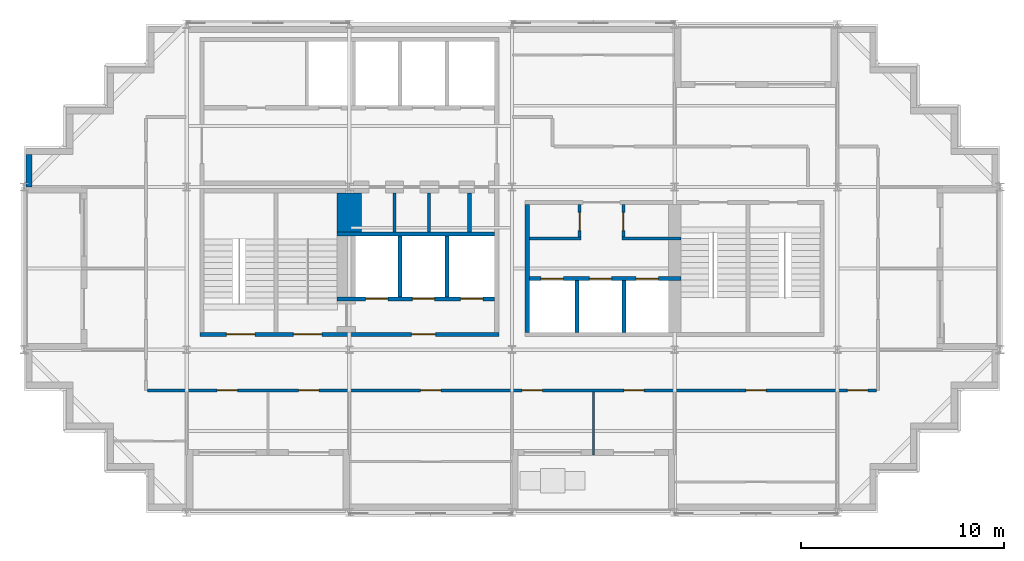
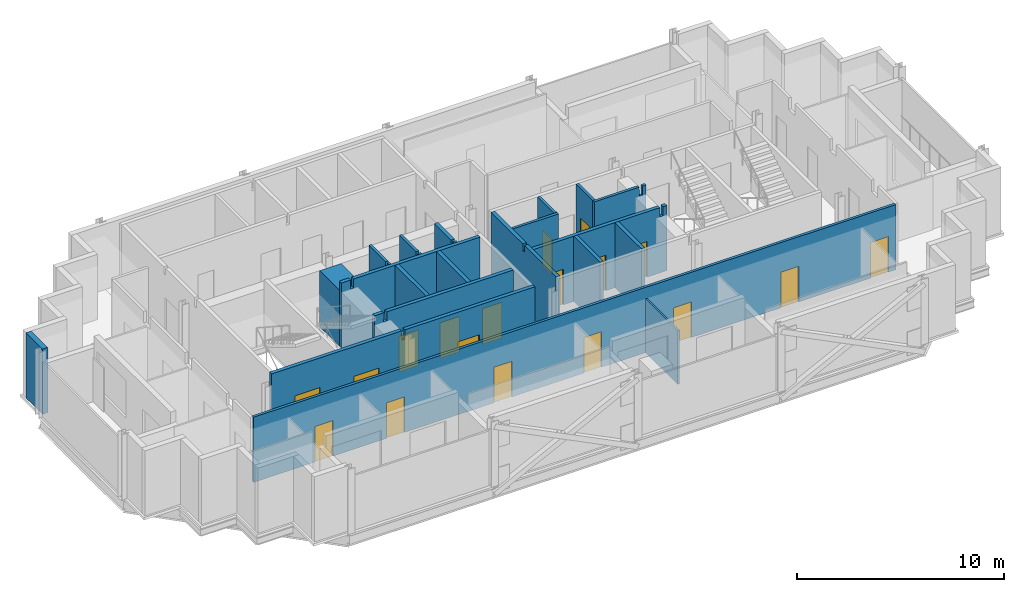
# One storey, part 5 of 10: 20 walls, 18 doors, 18 openings.
"""IFC4 building model written with IfcOpenShell, lengths in metres."""

from ifc_helpers import new_model, si_unit, direction, frame, frame_2d, origin, place, context, subcontext, project, spatial, polyline, rectangle, outline, extrude, material, layer, layer_set, type_object, element, fill, save


model = new_model("IFC4")

# Units and contexts
model_context = context("Model", 3, precision=1e-05, world=origin(), true_north=direction((0.0, 1.0)))
body_context = subcontext(model_context, "Body", "Model", "MODEL_VIEW")
ifc_project = project(units=[si_unit("LENGTHUNIT", "METRE"), si_unit("AREAUNIT", "SQUARE_METRE"), si_unit("VOLUMEUNIT", "CUBIC_METRE"), si_unit("PLANEANGLEUNIT", "RADIAN"), si_unit("MASSUNIT", "GRAM", prefix="KILO")], contexts=[model_context])

# Site, building, storey
site_placement = place(None, origin())
site = spatial("IfcSite", under=ifc_project, at=site_placement, CompositionType="ELEMENT")
building_placement = place(site_placement, origin())
building = spatial("IfcBuilding", under=site, at=building_placement, Name="Immortelle Media Tower", CompositionType="ELEMENT")
storey_placement = place(building_placement, frame((0.0, 0.0, 255.0)))
storey = spatial("IfcBuildingStorey", under=building, at=storey_placement, Name="L55", CompositionType="ELEMENT", Elevation=255.0)

# Walls
ifc_material_1 = material(Name="Fire-rated gypsum board", Category="gypsum")
ifc_layer_1 = layer(ifc_material_1, 0.02490234375)
ifc_material_2 = material(Name="Steel ASTM A653 SS Gr 50 stud frame with mineral wool", Category="steel")
ifc_layer_2 = layer(ifc_material_2, 0.10009765625)
ifc_layer_3 = layer(ifc_material_1, 0.02490234375)
ifc_layer_set_1 = layer_set([ifc_layer_1, ifc_layer_2, ifc_layer_3], Name="Steel ASTM A653 SS Gr 50 stud frame with mineral wool")
wall_type_1 = type_object("IfcWallType", Name="Core partition 150", PredefinedType="PARTITIONING", material=ifc_layer_set_1)
for number, where, z_axis, x_axis, name in (
    (1, (18.22509765625, 13.800048828125, 0.0), (0.0, 0.0, 1.0), (0.0, 1.0, 0.0), "Core partition SW"),
    (2, (19.925048828125, 13.800048828125, 0.0), (0.0, 0.0, 1.0), (0.0, 1.0, 0.0), "Core partition SW"),
):
    element("IfcWall", number, at=place(storey_placement, frame(where, z_axis=z_axis, x_axis=x_axis)), inside=storey, type_object=wall_type_1, Name=name, PredefinedType="PARTITIONING", context=body_context, shape_type="SweptSolid", body=[
        extrude(outline(polyline([(0.0, 0.0), (1.89990234375, 0.0), (1.89990234375, 3.85009765625), (0.27490234375, 3.85009765625), (0.27392578125, 3.43994140625), (0.1259765625, 3.43994140625), (0.125, 3.85009765625), (0.0, 3.85009765625), (0.0, 0.0)])), frame((0.0, 0.074951171875, 0.0), z_axis=(0.0, -1.0, 0.0), x_axis=(1.0, 0.0, 0.0)), (0.0, 0.0, 1.0), 0.14990234375),
    ])
wall_1_placement = place(storey_placement, frame((24.85009765625, 13.47509765625, 0.0), z_axis=(0.0, 0.0, 1.0), x_axis=(1.0, 0.0, 0.0)))
element("IfcWall", 3, at=wall_1_placement, inside=storey, type_object=wall_type_1, Name="Core partition SE", PredefinedType="PARTITIONING", context=body_context, shape_type="SweptSolid", body=[
    extrude(rectangle(XDim=2.5498046875, YDim=0.14990234375, at=frame_2d((1.27490234375, 0.0))), origin(), (0.0, 0.0, 1.0), 3.85009765625),
])

# Wall, opening, door
wall_2_placement = place(storey_placement, frame((27.324951171875, 13.550048828125, 0.0), z_axis=(0.0, 0.0, 1.0), x_axis=(0.0, 1.0, 0.0)))
wall_2 = element("IfcWall", 4, at=wall_2_placement, inside=storey, type_object=wall_type_1, Name="Core partition SE", PredefinedType="PARTITIONING", context=body_context, shape_type="SweptSolid", body=[
    extrude(rectangle(XDim=1.599853515625, YDim=0.14990234375, at=frame_2d((0.7998046875, 0.0))), origin(), (0.0, 0.0, 1.0), 3.85009765625),
])
opening_1_placement = place(wall_2_placement, frame((0.300048828125, 0.0, 0.0)))
opening_1 = element("IfcOpeningElement", 5, at=opening_1_placement, cuts=wall_2, Name="Opening X1-K020", PredefinedType="OPENING", context=body_context, shape_type="SweptSolid", body=[
    extrude(rectangle(XDim=0.89990234375, YDim=2.10009765625, at=frame_2d((0.449951171875, 1.050048828125))), frame((0.0, 0.0849609375, 0.0), z_axis=(0.0, -1.0, 0.0), x_axis=(1.0, 0.0, 0.0)), (0.0, 0.0, 1.0), 0.169921875),
])
ifc_material_3 = material(Name="Galvanised steel door leaf and frame ASTM A653", Category="steel")
door_type_1 = type_object("IfcDoorType", Name="Service door 900 x 2100", OperationType="NOTDEFINED", PredefinedType="NOTDEFINED", material=ifc_material_3)
door_1_placement = place(opening_1_placement, origin())
door_1 = element("IfcDoor", 6, at=door_1_placement, inside=storey, type_object=door_type_1, Name="Service X1-K020", OperationType="SINGLE_SWING_LEFT", OverallHeight=2.10009765625, OverallWidth=0.89990234375, PredefinedType="NOTDEFINED", context=body_context, shape_type="SweptSolid", body=[
    extrude(rectangle(XDim=0.89990234375, YDim=2.10009765625, at=frame_2d((0.449951171875, 1.050048828125))), frame((0.0, 0.02490234375, 0.0), z_axis=(0.0, -1.0, 0.0), x_axis=(1.0, 0.0, 0.0)), (0.0, 0.0, 1.0), 0.050048828125),
])
fill(opening_1, door_1)

# Wall
wall_3_placement = place(storey_placement, frame((29.39990234375, 13.47509765625, 0.0), z_axis=(0.0, 0.0, 1.0), x_axis=(1.0, 0.0, 0.0)))
element("IfcWall", 7, at=wall_3_placement, inside=storey, type_object=wall_type_1, Name="Core partition SE", PredefinedType="PARTITIONING", context=body_context, shape_type="SweptSolid", body=[
    extrude(outline(polyline([(0.0, 0.0), (2.900146484375, 0.0), (2.89990234375, 3.85009765625), (2.6884765625, 3.85009765625), (2.6875, 3.30810546875), (2.512451171875, 3.30810546875), (2.511474609375, 3.85009765625), (0.0, 3.85009765625), (0.0, 0.0)])), frame((0.0, 0.074951171875, 0.0), z_axis=(0.0, -1.0, 0.0), x_axis=(1.0, 0.0, 0.0)), (0.0, 0.0, 1.0), 0.14990234375),
])

# Wall, opening, door
wall_4_placement = place(storey_placement, frame((29.47509765625, 13.550048828125, 0.0), z_axis=(0.0, 0.0, 1.0), x_axis=(0.0, 1.0, 0.0)))
wall_4 = element("IfcWall", 8, at=wall_4_placement, inside=storey, type_object=wall_type_1, Name="Core partition SE", PredefinedType="PARTITIONING", context=body_context, shape_type="SweptSolid", body=[
    extrude(rectangle(XDim=1.599853515625, YDim=0.14990234375, at=frame_2d((0.7998046875, 0.0))), origin(), (0.0, 0.0, 1.0), 3.85009765625),
])
opening_2_placement = place(wall_4_placement, frame((1.199951171875, 0.0, 0.0), z_axis=(0.0, 0.0, 1.0), x_axis=(-1.0, 0.0, 0.0)))
opening_2 = element("IfcOpeningElement", 9, at=opening_2_placement, cuts=wall_4, Name="Opening X1-K023", PredefinedType="OPENING", context=body_context, shape_type="SweptSolid", body=[
    extrude(rectangle(XDim=0.89990234375, YDim=2.10009765625, at=frame_2d((0.449951171875, 1.050048828125))), frame((0.0, 0.0849609375, 0.0), z_axis=(0.0, -1.0, 0.0), x_axis=(1.0, 0.0, 0.0)), (0.0, 0.0, 1.0), 0.169921875),
])
ifc_material_4 = material(Name="Timber", Category="wood")
door_type_2 = type_object("IfcDoorType", Name="Room door 900 x 2100", OperationType="NOTDEFINED", PredefinedType="NOTDEFINED", material=ifc_material_4)
door_2_placement = place(opening_2_placement, origin())
door_2 = element("IfcDoor", 10, at=door_2_placement, inside=storey, type_object=door_type_2, Name="Room X1-K023", OperationType="SINGLE_SWING_RIGHT", OverallHeight=2.10009765625, OverallWidth=0.89990234375, PredefinedType="NOTDEFINED", context=body_context, shape_type="SweptSolid", body=[
    extrude(rectangle(XDim=0.89990234375, YDim=2.10009765625, at=frame_2d((0.449951171875, 1.050048828125))), frame((0.0, 0.02490234375, 0.0), z_axis=(0.0, -1.0, 0.0), x_axis=(1.0, 0.0, 0.0)), (0.0, 0.0, 1.0), 0.050048828125),
])
fill(opening_2, door_2)

# Wall, openings, doors
ifc_layer_4 = layer(ifc_material_1, 0.03759765625)
ifc_layer_5 = layer(ifc_material_2, 0.125)
ifc_layer_6 = layer(ifc_material_1, 0.03759765625)
ifc_layer_set_2 = layer_set([ifc_layer_4, ifc_layer_5, ifc_layer_6], Name="Steel ASTM A653 SS Gr 50 stud frame with mineral wool")
wall_type_2 = type_object("IfcWallType", Name="Core shaft wall 200", PredefinedType="PARTITIONING", material=ifc_layer_set_2)
wall_5_placement = place(storey_placement, frame((15.39990234375, 10.5, 0.0), z_axis=(0.0, 0.0, 1.0), x_axis=(1.0, 0.0, 0.0)))
wall_5 = element("IfcWall", 11, at=wall_5_placement, inside=storey, type_object=wall_type_2, Name="Core shaft wall SW", PredefinedType="PARTITIONING", context=body_context, shape_type="SweptSolid", body=[
    extrude(outline(polyline([(0.0, 0.0), (7.75, 0.0), (7.75, 3.85009765625), (0.6884765625, 3.85009765625), (0.6875, 3.30810546875), (0.512451171875, 3.30810546875), (0.511474609375, 3.85009765625), (0.0, 3.85009765625), (0.0, 0.0)])), frame((0.0, 0.10009765625, 0.0), z_axis=(0.0, -1.0, 0.0), x_axis=(1.0, 0.0, 0.0)), (0.0, 0.0, 1.0), 0.199951171875),
])
opening_3_placement = place(wall_5_placement, frame((1.39990234375, 0.0, 0.0)))
opening_3 = element("IfcOpeningElement", 12, at=opening_3_placement, cuts=wall_5, Name="Opening LD", PredefinedType="OPENING", context=body_context, shape_type="SweptSolid", body=[
    extrude(rectangle(XDim=1.10009765625, YDim=2.10009765625, at=frame_2d((0.550048828125, 1.050048828125))), frame((0.0, 0.10986328125, 0.0), z_axis=(0.0, -1.0, 0.0), x_axis=(1.0, 0.0, 0.0)), (0.0, 0.0, 1.0), 0.219970703125),
])
opening_4_placement = place(wall_5_placement, frame((3.699951171875, 0.0, 0.0)))
opening_4 = element("IfcOpeningElement", 13, at=opening_4_placement, cuts=wall_5, Name="Opening LD", PredefinedType="OPENING", context=body_context, shape_type="SweptSolid", body=[
    extrude(rectangle(XDim=1.10009765625, YDim=2.10009765625, at=frame_2d((0.550048828125, 1.050048828125))), frame((0.0, 0.10986328125, 0.0), z_axis=(0.0, -1.0, 0.0), x_axis=(1.0, 0.0, 0.0)), (0.0, 0.0, 1.0), 0.219970703125),
])
opening_5_placement = place(wall_5_placement, frame((6.074951171875, 0.0, 0.0)))
opening_5 = element("IfcOpeningElement", 14, at=opening_5_placement, cuts=wall_5, Name="Opening LD", PredefinedType="OPENING", context=body_context, shape_type="SweptSolid", body=[
    extrude(rectangle(XDim=1.10009765625, YDim=2.10009765625, at=frame_2d((0.550048828125, 1.050048828125))), frame((0.0, 0.10986328125, 0.0), z_axis=(0.0, -1.0, 0.0), x_axis=(1.0, 0.0, 0.0)), (0.0, 0.0, 1.0), 0.219970703125),
])
ifc_material_5 = material(Name="Stainless steel AISI 304", Category="steel")
door_type_3 = type_object("IfcDoorType", Name="Landing door 1100 x 2100", OperationType="SLIDING_TO_LEFT", PredefinedType="NOTDEFINED", material=ifc_material_5)
door_3_placement = place(opening_3_placement, origin())
door_3 = element("IfcDoor", 15, at=door_3_placement, inside=storey, type_object=door_type_3, Name="Landing door FF1 L55", OperationType="SLIDING_TO_LEFT", OverallHeight=2.10009765625, OverallWidth=1.10009765625, PredefinedType="NOTDEFINED", context=body_context, shape_type="SweptSolid", body=[
    extrude(rectangle(XDim=1.10009765625, YDim=2.10009765625, at=frame_2d((0.550048828125, 1.050048828125))), frame((0.0, 0.02490234375, 0.0), z_axis=(0.0, -1.0, 0.0), x_axis=(1.0, 0.0, 0.0)), (0.0, 0.0, 1.0), 0.050048828125),
])
fill(opening_3, door_3)
door_4_placement = place(opening_4_placement, origin())
door_4 = element("IfcDoor", 16, at=door_4_placement, inside=storey, type_object=door_type_3, Name="Landing door FF2 L55", OperationType="SLIDING_TO_LEFT", OverallHeight=2.10009765625, OverallWidth=1.10009765625, PredefinedType="NOTDEFINED", context=body_context, shape_type="SweptSolid", body=[
    extrude(rectangle(XDim=1.10009765625, YDim=2.10009765625, at=frame_2d((0.550048828125, 1.050048828125))), frame((0.0, 0.02490234375, 0.0), z_axis=(0.0, -1.0, 0.0), x_axis=(1.0, 0.0, 0.0)), (0.0, 0.0, 1.0), 0.050048828125),
])
fill(opening_4, door_4)
door_5_placement = place(opening_5_placement, origin())
door_5 = element("IfcDoor", 17, at=door_5_placement, inside=storey, type_object=door_type_3, Name="Landing door FF3 L55", OperationType="SLIDING_TO_LEFT", OverallHeight=2.10009765625, OverallWidth=1.10009765625, PredefinedType="NOTDEFINED", context=body_context, shape_type="SweptSolid", body=[
    extrude(rectangle(XDim=1.10009765625, YDim=2.10009765625, at=frame_2d((0.550048828125, 1.050048828125))), frame((0.0, 0.02490234375, 0.0), z_axis=(0.0, -1.0, 0.0), x_axis=(1.0, 0.0, 0.0)), (0.0, 0.0, 1.0), 0.050048828125),
])
fill(opening_5, door_5)

# Walls
wall_6_placement = place(storey_placement, frame((15.39990234375, 13.699951171875, 0.0), z_axis=(0.0, 0.0, 1.0), x_axis=(1.0, 0.0, 0.0)))
element("IfcWall", 18, at=wall_6_placement, inside=storey, type_object=wall_type_2, Name="Core shaft wall SW", PredefinedType="PARTITIONING", context=body_context, shape_type="SweptSolid", body=[
    extrude(outline(polyline([(0.0, 0.0), (7.75, 0.0), (7.75, 3.85009765625), (0.6884765625, 3.85009765625), (0.6875, 3.30810546875), (0.512451171875, 3.30810546875), (0.511474609375, 3.85009765625), (0.0, 3.85009765625), (0.0, 0.0)])), frame((0.0, 0.10009765625, 0.0), z_axis=(0.0, -1.0, 0.0), x_axis=(1.0, 0.0, 0.0)), (0.0, 0.0, 1.0), 0.199951171875),
])
for number, where, z_axis, x_axis, name in (
    (19, (18.5, 10.60009765625, 0.0), (0.0, 0.0, 1.0), (0.0, 1.0, 0.0), "Core shaft wall SW"),
    (20, (20.800048828125, 10.60009765625, 0.0), (0.0, 0.0, 1.0), (0.0, 1.0, 0.0), "Core shaft wall SW"),
):
    element("IfcWall", number, at=place(storey_placement, frame(where, z_axis=z_axis, x_axis=x_axis)), inside=storey, type_object=wall_type_2, Name=name, PredefinedType="PARTITIONING", context=body_context, shape_type="SweptSolid", body=[
        extrude(rectangle(XDim=3.0, YDim=0.199951171875, at=frame_2d((1.5, 0.0))), origin(), (0.0, 0.0, 1.0), 3.85009765625),
    ])
wall_7_placement = place(storey_placement, frame((21.89990234375, 13.800048828125, 0.0), z_axis=(0.0, 0.0, 1.0), x_axis=(0.0, 1.0, 0.0)))
element("IfcWall", 21, at=wall_7_placement, inside=storey, type_object=wall_type_2, Name="Core shaft wall SW", PredefinedType="PARTITIONING", context=body_context, shape_type="SweptSolid", body=[
    extrude(outline(polyline([(0.0, 0.0), (1.89990234375, 0.0), (1.89990234375, 3.85009765625), (0.27490234375, 3.85009765625), (0.27392578125, 3.43994140625), (0.1259765625, 3.43994140625), (0.125, 3.85009765625), (0.0, 3.85009765625), (0.0, 0.0)])), frame((0.0, 0.10009765625, 0.0), z_axis=(0.0, -1.0, 0.0), x_axis=(1.0, 0.0, 0.0)), (0.0, 0.0, 1.0), 0.199951171875),
])
wall_8_placement = place(storey_placement, frame((24.75, 8.85009765625, 0.0), z_axis=(0.0, 0.0, 1.0), x_axis=(0.0, 1.0, 0.0)))
element("IfcWall", 22, at=wall_8_placement, inside=storey, type_object=wall_type_2, Name="Core shaft wall SE", PredefinedType="PARTITIONING", context=body_context, shape_type="SweptSolid", body=[
    extrude(outline(polyline([(0.0, 0.0), (6.2998046875, 0.0), (6.300048828125, 3.85009765625), (3.22509765625, 3.85009765625), (3.22412109375, 3.43994140625), (3.075927734375, 3.43994140625), (3.074951171875, 3.85009765625), (0.0, 3.85009765625), (0.0, 0.0)])), frame((0.0, 0.10009765625, 0.0), z_axis=(0.0, -1.0, 0.0), x_axis=(1.0, 0.0, 0.0)), (0.0, 0.0, 1.0), 0.199951171875),
])

# Wall, openings, doors
wall_9_placement = place(storey_placement, frame((24.85009765625, 11.5, 0.0), z_axis=(0.0, 0.0, 1.0), x_axis=(1.0, 0.0, 0.0)))
wall_9 = element("IfcWall", 23, at=wall_9_placement, inside=storey, type_object=wall_type_2, Name="Core shaft wall SE", PredefinedType="PARTITIONING", context=body_context, shape_type="SweptSolid", body=[
    extrude(outline(polyline([(0.0, 0.0), (7.449951171875, 0.0), (7.449951171875, 3.85009765625), (7.238525390625, 3.85009765625), (7.237548828125, 3.30810546875), (7.0625, 3.30810546875), (7.0615234375, 3.85009765625), (0.0, 3.85009765625), (0.0, 0.0)])), frame((0.0, 0.10009765625, 0.0), z_axis=(0.0, -1.0, 0.0), x_axis=(1.0, 0.0, 0.0)), (0.0, 0.0, 1.0), 0.199951171875),
])
opening_6_placement = place(wall_9_placement, frame((0.574951171875, 0.0, 0.0)))
opening_6 = element("IfcOpeningElement", 24, at=opening_6_placement, cuts=wall_9, Name="Opening LD", PredefinedType="OPENING", context=body_context, shape_type="SweptSolid", body=[
    extrude(rectangle(XDim=1.10009765625, YDim=2.10009765625, at=frame_2d((0.550048828125, 1.050048828125))), frame((0.0, 0.10986328125, 0.0), z_axis=(0.0, -1.0, 0.0), x_axis=(1.0, 0.0, 0.0)), (0.0, 0.0, 1.0), 0.219970703125),
])
opening_7_placement = place(wall_9_placement, frame((2.949951171875, 0.0, 0.0)))
opening_7 = element("IfcOpeningElement", 25, at=opening_7_placement, cuts=wall_9, Name="Opening LD", PredefinedType="OPENING", context=body_context, shape_type="SweptSolid", body=[
    extrude(rectangle(XDim=1.10009765625, YDim=2.10009765625, at=frame_2d((0.550048828125, 1.050048828125))), frame((0.0, 0.10986328125, 0.0), z_axis=(0.0, -1.0, 0.0), x_axis=(1.0, 0.0, 0.0)), (0.0, 0.0, 1.0), 0.219970703125),
])
opening_8_placement = place(wall_9_placement, frame((5.25, 0.0, 0.0)))
opening_8 = element("IfcOpeningElement", 26, at=opening_8_placement, cuts=wall_9, Name="Opening LD", PredefinedType="OPENING", context=body_context, shape_type="SweptSolid", body=[
    extrude(rectangle(XDim=1.10009765625, YDim=2.10009765625, at=frame_2d((0.550048828125, 1.050048828125))), frame((0.0, 0.10986328125, 0.0), z_axis=(0.0, -1.0, 0.0), x_axis=(1.0, 0.0, 0.0)), (0.0, 0.0, 1.0), 0.219970703125),
])
door_6_placement = place(opening_6_placement, origin())
door_6 = element("IfcDoor", 27, at=door_6_placement, inside=storey, type_object=door_type_3, Name="Landing door HS1 L55", OperationType="SLIDING_TO_LEFT", OverallHeight=2.10009765625, OverallWidth=1.10009765625, PredefinedType="NOTDEFINED", context=body_context, shape_type="SweptSolid", body=[
    extrude(rectangle(XDim=1.10009765625, YDim=2.10009765625, at=frame_2d((0.550048828125, 1.050048828125))), frame((0.0, 0.02490234375, 0.0), z_axis=(0.0, -1.0, 0.0), x_axis=(1.0, 0.0, 0.0)), (0.0, 0.0, 1.0), 0.050048828125),
])
fill(opening_6, door_6)
door_7_placement = place(opening_7_placement, origin())
door_7 = element("IfcDoor", 28, at=door_7_placement, inside=storey, type_object=door_type_3, Name="Landing door HS2 L55", OperationType="SLIDING_TO_LEFT", OverallHeight=2.10009765625, OverallWidth=1.10009765625, PredefinedType="NOTDEFINED", context=body_context, shape_type="SweptSolid", body=[
    extrude(rectangle(XDim=1.10009765625, YDim=2.10009765625, at=frame_2d((0.550048828125, 1.050048828125))), frame((0.0, 0.02490234375, 0.0), z_axis=(0.0, -1.0, 0.0), x_axis=(1.0, 0.0, 0.0)), (0.0, 0.0, 1.0), 0.050048828125),
])
fill(opening_7, door_7)
door_8_placement = place(opening_8_placement, origin())
door_8 = element("IfcDoor", 29, at=door_8_placement, inside=storey, type_object=door_type_3, Name="Landing door HS3 L55", OperationType="SLIDING_TO_LEFT", OverallHeight=2.10009765625, OverallWidth=1.10009765625, PredefinedType="NOTDEFINED", context=body_context, shape_type="SweptSolid", body=[
    extrude(rectangle(XDim=1.10009765625, YDim=2.10009765625, at=frame_2d((0.550048828125, 1.050048828125))), frame((0.0, 0.02490234375, 0.0), z_axis=(0.0, -1.0, 0.0), x_axis=(1.0, 0.0, 0.0)), (0.0, 0.0, 1.0), 0.050048828125),
])
fill(opening_8, door_8)

# Walls
for number, where, z_axis, x_axis, name in (
    (30, (27.199951171875, 8.85009765625, 0.0), (0.0, 0.0, 1.0), (0.0, 1.0, 0.0), "Core shaft wall SE"),
    (31, (29.5, 8.85009765625, 0.0), (0.0, 0.0, 1.0), (0.0, 1.0, 0.0), "Core shaft wall SE"),
):
    element("IfcWall", number, at=place(storey_placement, frame(where, z_axis=z_axis, x_axis=x_axis)), inside=storey, type_object=wall_type_2, Name=name, PredefinedType="PARTITIONING", context=body_context, shape_type="SweptSolid", body=[
        extrude(rectangle(XDim=2.5498046875, YDim=0.199951171875, at=frame_2d((1.27490234375, 0.0))), origin(), (0.0, 0.0, 1.0), 3.85009765625),
    ])

# Wall, openings, doors
ifc_layer_7 = layer(ifc_material_1, 0.012451171875)
ifc_layer_8 = layer(ifc_material_2, 0.125)
ifc_layer_9 = layer(ifc_material_1, 0.012451171875)
ifc_layer_set_3 = layer_set([ifc_layer_7, ifc_layer_8, ifc_layer_9], Name="Steel ASTM A653 SS Gr 50 stud frame with mineral wool")
wall_type_3 = type_object("IfcWallType", Name="Corridor wall 150", PredefinedType="PARTITIONING", material=ifc_layer_set_3)
wall_10_placement = place(storey_placement, frame((6.074951171875, 6.0, 0.0), z_axis=(0.0, 0.0, 1.0), x_axis=(1.0, 0.0, 0.0)))
wall_10 = element("IfcWall", 32, at=wall_10_placement, inside=storey, type_object=wall_type_3, Name="Partition L55-013", PredefinedType="PARTITIONING", context=body_context, shape_type="SweptSolid", body=[
    extrude(rectangle(XDim=35.85009765625, YDim=0.14990234375, at=frame_2d((17.925048828125, 0.0))), origin(), (0.0, 0.0, 1.0), 3.85009765625),
])
opening_9_placement = place(wall_10_placement, frame((14.425048828125, 0.0, 0.0), z_axis=(0.0, 0.0, 1.0), x_axis=(-1.0, 0.0, 0.0)))
opening_9 = element("IfcOpeningElement", 33, at=opening_9_placement, cuts=wall_10, Name="Opening X1-F001", PredefinedType="OPENING", context=body_context, shape_type="SweptSolid", body=[
    extrude(rectangle(XDim=1.0, YDim=2.10009765625, at=frame_2d((0.5, 1.050048828125))), frame((0.0, 0.0849609375, 0.0), z_axis=(0.0, -1.0, 0.0), x_axis=(1.0, 0.0, 0.0)), (0.0, 0.0, 1.0), 0.169921875),
])
opening_10_placement = place(wall_10_placement, frame((30.425048828125, 0.0, 0.0), z_axis=(0.0, 0.0, 1.0), x_axis=(-1.0, 0.0, 0.0)))
opening_10 = element("IfcOpeningElement", 34, at=opening_10_placement, cuts=wall_10, Name="Opening X1-F003", PredefinedType="OPENING", context=body_context, shape_type="SweptSolid", body=[
    extrude(rectangle(XDim=1.0, YDim=2.10009765625, at=frame_2d((0.5, 1.050048828125))), frame((0.0, 0.0849609375, 0.0), z_axis=(0.0, -1.0, 0.0), x_axis=(1.0, 0.0, 0.0)), (0.0, 0.0, 1.0), 0.169921875),
])
opening_11_placement = place(wall_10_placement, frame((4.425048828125, 0.0, 0.0), z_axis=(0.0, 0.0, 1.0), x_axis=(-1.0, 0.0, 0.0)))
opening_11 = element("IfcOpeningElement", 35, at=opening_11_placement, cuts=wall_10, Name="Opening X1-F005", PredefinedType="OPENING", context=body_context, shape_type="SweptSolid", body=[
    extrude(rectangle(XDim=1.0, YDim=2.10009765625, at=frame_2d((0.5, 1.050048828125))), frame((0.0, 0.0849609375, 0.0), z_axis=(0.0, -1.0, 0.0), x_axis=(1.0, 0.0, 0.0)), (0.0, 0.0, 1.0), 0.169921875),
])
opening_12_placement = place(wall_10_placement, frame((8.425048828125, 0.0, 0.0), z_axis=(0.0, 0.0, 1.0), x_axis=(-1.0, 0.0, 0.0)))
opening_12 = element("IfcOpeningElement", 36, at=opening_12_placement, cuts=wall_10, Name="Opening X1-F006", PredefinedType="OPENING", context=body_context, shape_type="SweptSolid", body=[
    extrude(rectangle(XDim=1.0, YDim=2.10009765625, at=frame_2d((0.5, 1.050048828125))), frame((0.0, 0.0849609375, 0.0), z_axis=(0.0, -1.0, 0.0), x_axis=(1.0, 0.0, 0.0)), (0.0, 0.0, 1.0), 0.169921875),
])
opening_13_placement = place(wall_10_placement, frame((19.425048828125, 0.0, 0.0), z_axis=(0.0, 0.0, 1.0), x_axis=(-1.0, 0.0, 0.0)))
opening_13 = element("IfcOpeningElement", 37, at=opening_13_placement, cuts=wall_10, Name="Opening X1-F007", PredefinedType="OPENING", context=body_context, shape_type="SweptSolid", body=[
    extrude(rectangle(XDim=1.0, YDim=2.10009765625, at=frame_2d((0.5, 1.050048828125))), frame((0.0, 0.0849609375, 0.0), z_axis=(0.0, -1.0, 0.0), x_axis=(1.0, 0.0, 0.0)), (0.0, 0.0, 1.0), 0.169921875),
])
opening_14_placement = place(wall_10_placement, frame((24.425048828125, 0.0, 0.0), z_axis=(0.0, 0.0, 1.0), x_axis=(-1.0, 0.0, 0.0)))
opening_14 = element("IfcOpeningElement", 38, at=opening_14_placement, cuts=wall_10, Name="Opening X1-F008", PredefinedType="OPENING", context=body_context, shape_type="SweptSolid", body=[
    extrude(rectangle(XDim=1.0, YDim=2.10009765625, at=frame_2d((0.5, 1.050048828125))), frame((0.0, 0.0849609375, 0.0), z_axis=(0.0, -1.0, 0.0), x_axis=(1.0, 0.0, 0.0)), (0.0, 0.0, 1.0), 0.169921875),
])
opening_15_placement = place(wall_10_placement, frame((35.425048828125, 0.0, 0.0), z_axis=(0.0, 0.0, 1.0), x_axis=(-1.0, 0.0, 0.0)))
opening_15 = element("IfcOpeningElement", 39, at=opening_15_placement, cuts=wall_10, Name="Opening X1-F011", PredefinedType="OPENING", context=body_context, shape_type="SweptSolid", body=[
    extrude(rectangle(XDim=1.0, YDim=2.10009765625, at=frame_2d((0.5, 1.050048828125))), frame((0.0, 0.0849609375, 0.0), z_axis=(0.0, -1.0, 0.0), x_axis=(1.0, 0.0, 0.0)), (0.0, 0.0, 1.0), 0.169921875),
])
ifc_material_6 = material(Name="Timber veneered door leaf, galvanised steel frame ASTM A653", Category="steel")
door_type_4 = type_object("IfcDoorType", Name="Room door 1000 x 2100", OperationType="NOTDEFINED", PredefinedType="DOOR", material=ifc_material_6)
door_9_placement = place(opening_9_placement, origin())
door_9 = element("IfcDoor", 40, at=door_9_placement, inside=storey, type_object=door_type_4, Name="Door X1-F001", OperationType="SINGLE_SWING_RIGHT", OverallHeight=2.10009765625, OverallWidth=1.0, PredefinedType="DOOR", context=body_context, shape_type="SweptSolid", body=[
    extrude(rectangle(XDim=1.0, YDim=2.10009765625, at=frame_2d((0.5, 1.050048828125))), frame((0.0, 0.02490234375, 0.0), z_axis=(0.0, -1.0, 0.0), x_axis=(1.0, 0.0, 0.0)), (0.0, 0.0, 1.0), 0.050048828125),
])
fill(opening_9, door_9)
door_10_placement = place(opening_10_placement, origin())
door_10 = element("IfcDoor", 41, at=door_10_placement, inside=storey, type_object=door_type_4, Name="Door X1-F003", OperationType="SINGLE_SWING_RIGHT", OverallHeight=2.10009765625, OverallWidth=1.0, PredefinedType="DOOR", context=body_context, shape_type="SweptSolid", body=[
    extrude(rectangle(XDim=1.0, YDim=2.10009765625, at=frame_2d((0.5, 1.050048828125))), frame((0.0, 0.02490234375, 0.0), z_axis=(0.0, -1.0, 0.0), x_axis=(1.0, 0.0, 0.0)), (0.0, 0.0, 1.0), 0.050048828125),
])
fill(opening_10, door_10)
door_11_placement = place(opening_11_placement, origin())
door_11 = element("IfcDoor", 42, at=door_11_placement, inside=storey, type_object=door_type_4, Name="Door X1-F005", OperationType="SINGLE_SWING_LEFT", OverallHeight=2.10009765625, OverallWidth=1.0, PredefinedType="DOOR", context=body_context, shape_type="SweptSolid", body=[
    extrude(rectangle(XDim=1.0, YDim=2.10009765625, at=frame_2d((0.5, 1.050048828125))), frame((0.0, 0.02490234375, 0.0), z_axis=(0.0, -1.0, 0.0), x_axis=(1.0, 0.0, 0.0)), (0.0, 0.0, 1.0), 0.050048828125),
])
fill(opening_11, door_11)
door_12_placement = place(opening_12_placement, origin())
door_12 = element("IfcDoor", 43, at=door_12_placement, inside=storey, type_object=door_type_4, Name="Door X1-F006", OperationType="SINGLE_SWING_LEFT", OverallHeight=2.10009765625, OverallWidth=1.0, PredefinedType="DOOR", context=body_context, shape_type="SweptSolid", body=[
    extrude(rectangle(XDim=1.0, YDim=2.10009765625, at=frame_2d((0.5, 1.050048828125))), frame((0.0, 0.02490234375, 0.0), z_axis=(0.0, -1.0, 0.0), x_axis=(1.0, 0.0, 0.0)), (0.0, 0.0, 1.0), 0.050048828125),
])
fill(opening_12, door_12)
door_13_placement = place(opening_13_placement, origin())
door_13 = element("IfcDoor", 44, at=door_13_placement, inside=storey, type_object=door_type_4, Name="Door X1-F007", OperationType="SINGLE_SWING_RIGHT", OverallHeight=2.10009765625, OverallWidth=1.0, PredefinedType="DOOR", context=body_context, shape_type="SweptSolid", body=[
    extrude(rectangle(XDim=1.0, YDim=2.10009765625, at=frame_2d((0.5, 1.050048828125))), frame((0.0, 0.02490234375, 0.0), z_axis=(0.0, -1.0, 0.0), x_axis=(1.0, 0.0, 0.0)), (0.0, 0.0, 1.0), 0.050048828125),
])
fill(opening_13, door_13)
door_14_placement = place(opening_14_placement, origin())
door_14 = element("IfcDoor", 45, at=door_14_placement, inside=storey, type_object=door_type_4, Name="Door X1-F008", OperationType="SINGLE_SWING_RIGHT", OverallHeight=2.10009765625, OverallWidth=1.0, PredefinedType="DOOR", context=body_context, shape_type="SweptSolid", body=[
    extrude(rectangle(XDim=1.0, YDim=2.10009765625, at=frame_2d((0.5, 1.050048828125))), frame((0.0, 0.02490234375, 0.0), z_axis=(0.0, -1.0, 0.0), x_axis=(1.0, 0.0, 0.0)), (0.0, 0.0, 1.0), 0.050048828125),
])
fill(opening_14, door_14)
door_15_placement = place(opening_15_placement, origin())
door_15 = element("IfcDoor", 46, at=door_15_placement, inside=storey, type_object=door_type_4, Name="Door X1-F011", OperationType="SINGLE_SWING_RIGHT", OverallHeight=2.10009765625, OverallWidth=1.0, PredefinedType="DOOR", context=body_context, shape_type="SweptSolid", body=[
    extrude(rectangle(XDim=1.0, YDim=2.10009765625, at=frame_2d((0.5, 1.050048828125))), frame((0.0, 0.02490234375, 0.0), z_axis=(0.0, -1.0, 0.0), x_axis=(1.0, 0.0, 0.0)), (0.0, 0.0, 1.0), 0.050048828125),
])
fill(opening_15, door_15)

# Walls
ifc_material_7 = material(Name="Pale aluminium cladding panel", Category="aluminium")
ifc_layer_10 = layer(ifc_material_7, 0.030029296875)
ifc_layer_11 = layer(ifc_material_2, 0.257568359375)
ifc_material_8 = material(Name="Moisture-resistant gypsum board", Category="gypsum")
ifc_layer_12 = layer(ifc_material_8, 0.012451171875)
ifc_layer_set_4 = layer_set([ifc_layer_10, ifc_layer_11, ifc_layer_12], Name="Steel ASTM A653 SS Gr 50 stud frame with mineral wool")
wall_type_4 = type_object("IfcWallType", Name="Facade wall 300", PredefinedType="SOLIDWALL", material=ifc_layer_set_4)
wall_11_placement = place(storey_placement, frame((0.25, 17.60009765625, 0.0), z_axis=(0.0, 0.0, 1.0), x_axis=(0.0, -1.0, 0.0)))
element("IfcWall", 47, at=wall_11_placement, inside=storey, type_object=wall_type_4, Name="Facade wall L55 W27", PredefinedType="SOLIDWALL", context=body_context, shape_type="SweptSolid", body=[
    extrude(rectangle(XDim=1.60009765625, YDim=0.300048828125, at=frame_2d((0.800048828125, 0.0))), origin(), (0.0, 0.0, 1.0), 3.85009765625),
])
ifc_material_9 = material(Name="Gypsum board", Category="gypsum")
ifc_layer_13 = layer(ifc_material_9, 0.012451171875)
ifc_layer_14 = layer(ifc_material_2, 0.074951171875)
ifc_layer_15 = layer(ifc_material_9, 0.012451171875)
ifc_layer_set_5 = layer_set([ifc_layer_13, ifc_layer_14, ifc_layer_15], Name="Steel ASTM A653 SS Gr 50 stud frame with mineral wool")
wall_type_5 = type_object("IfcWallType", Name="Partition 100", PredefinedType="PARTITIONING", material=ifc_layer_set_5)
wall_12_placement = place(storey_placement, frame((28.0, 2.830078125, 0.0), z_axis=(0.0, 0.0, 1.0), x_axis=(0.0, 1.0, 0.0)))
element("IfcWall", 48, at=wall_12_placement, inside=storey, type_object=wall_type_5, Name="Partition L55-009", PredefinedType="PARTITIONING", context=body_context, shape_type="SweptSolid", body=[
    extrude(rectangle(XDim=3.094970703125, YDim=0.10009765625, at=frame_2d((1.54736328125, 0.0))), origin(), (0.0, 0.0, 1.0), 3.172119140625),
])
ifc_material_10 = material(Name="Concrete C60", Category="concrete")
ifc_layer_16 = layer(ifc_material_10, 1.199951171875)
ifc_layer_set_6 = layer_set([ifc_layer_16], Name="Concrete C60")
wall_type_6 = type_object("IfcWallType", Name="Stair shaft wall 1200", PredefinedType="PARTITIONING", material=ifc_layer_set_6)
wall_13_placement = place(storey_placement, frame((16.0, 13.800048828125, 0.0), z_axis=(0.0, 0.0, 1.0), x_axis=(0.0, 1.0, 0.0)))
element("IfcWall", 49, at=wall_13_placement, inside=storey, type_object=wall_type_6, Name="Stair shaft wall SW", PredefinedType="PARTITIONING", context=body_context, shape_type="SweptSolid", body=[
    extrude(rectangle(XDim=1.89990234375, YDim=1.199951171875, at=frame_2d((0.949951171875, 0.0))), origin(), (0.0, 0.0, 1.0), 3.30810546875),
])

# Wall, openings, doors
ifc_layer_17 = layer(ifc_material_10, 0.199951171875)
ifc_layer_set_7 = layer_set([ifc_layer_17], Name="Concrete C60")
wall_type_7 = type_object("IfcWallType", Name="Stair shaft wall 200", PredefinedType="PARTITIONING", material=ifc_layer_set_7)
wall_14_placement = place(storey_placement, frame((8.64990234375, 8.75, 0.0), z_axis=(0.0, 0.0, 1.0), x_axis=(1.0, 0.0, 0.0)))
wall_14 = element("IfcWall", 50, at=wall_14_placement, inside=storey, type_object=wall_type_7, Name="Stair shaft wall SW", PredefinedType="PARTITIONING", context=body_context, shape_type="SweptSolid", body=[
    extrude(outline(polyline([(0.0, 0.0), (14.7001953125, 0.0), (14.699951171875, 3.85009765625), (7.4384765625, 3.85009765625), (7.4375, 3.30810546875), (7.262451171875, 3.30810546875), (7.261474609375, 3.85009765625), (0.0, 3.85009765625), (0.0, 0.0)])), frame((0.0, 0.10009765625, 0.0), z_axis=(0.0, -1.0, 0.0), x_axis=(1.0, 0.0, 0.0)), (0.0, 0.0, 1.0), 0.199951171875),
])
opening_16_placement = place(wall_14_placement, frame((1.300048828125, 0.0, 0.0)))
opening_16 = element("IfcOpeningElement", 51, at=opening_16_placement, cuts=wall_14, Name="Opening X1-K002", PredefinedType="OPENING", context=body_context, shape_type="SweptSolid", body=[
    extrude(rectangle(XDim=1.39990234375, YDim=2.10009765625, at=frame_2d((0.699951171875, 1.050048828125))), frame((0.0, 0.10986328125, 0.0), z_axis=(0.0, -1.0, 0.0), x_axis=(1.0, 0.0, 0.0)), (0.0, 0.0, 1.0), 0.219970703125),
])
opening_17_placement = place(wall_14_placement, frame((4.60009765625, 0.0, 0.0)))
opening_17 = element("IfcOpeningElement", 52, at=opening_17_placement, cuts=wall_14, Name="Opening X1-K004", PredefinedType="OPENING", context=body_context, shape_type="SweptSolid", body=[
    extrude(rectangle(XDim=1.39990234375, YDim=2.10009765625, at=frame_2d((0.699951171875, 1.050048828125))), frame((0.0, 0.10986328125, 0.0), z_axis=(0.0, -1.0, 0.0), x_axis=(1.0, 0.0, 0.0)), (0.0, 0.0, 1.0), 0.219970703125),
])
opening_18_placement = place(wall_14_placement, frame((10.39990234375, 0.0, 0.0)))
opening_18 = element("IfcOpeningElement", 53, at=opening_18_placement, cuts=wall_14, Name="Opening X1-K011", PredefinedType="OPENING", context=body_context, shape_type="SweptSolid", body=[
    extrude(rectangle(XDim=1.199951171875, YDim=2.10009765625, at=frame_2d((0.60009765625, 1.050048828125))), frame((0.0, 0.10986328125, 0.0), z_axis=(0.0, -1.0, 0.0), x_axis=(1.0, 0.0, 0.0)), (0.0, 0.0, 1.0), 0.219970703125),
])
door_type_5 = type_object("IfcDoorType", Name="Fire-fighting lobby door 1200 x 2100", OperationType="NOTDEFINED", PredefinedType="NOTDEFINED", material=ifc_material_3)
door_16_placement = place(opening_18_placement, origin())
door_16 = element("IfcDoor", 54, at=door_16_placement, inside=storey, type_object=door_type_5, Name="Fire-fighting lobby X1-K011", OperationType="SINGLE_SWING_LEFT", OverallHeight=2.10009765625, OverallWidth=1.199951171875, PredefinedType="NOTDEFINED", context=body_context, shape_type="SweptSolid", body=[
    extrude(rectangle(XDim=1.199951171875, YDim=2.10009765625, at=frame_2d((0.60009765625, 1.050048828125))), frame((0.0, 0.02490234375, 0.0), z_axis=(0.0, -1.0, 0.0), x_axis=(1.0, 0.0, 0.0)), (0.0, 0.0, 1.0), 0.050048828125),
])
fill(opening_18, door_16)
door_type_6 = type_object("IfcDoorType", Name="Stair door 1400 x 2100", OperationType="DOUBLE_DOOR_SINGLE_SWING", PredefinedType="NOTDEFINED", material=ifc_material_3)
door_17_placement = place(opening_16_placement, origin())
door_17 = element("IfcDoor", 55, at=door_17_placement, inside=storey, type_object=door_type_6, Name="Stair X1-K002", OperationType="DOUBLE_DOOR_SINGLE_SWING", OverallHeight=2.10009765625, OverallWidth=1.39990234375, PredefinedType="NOTDEFINED", context=body_context, shape_type="SweptSolid", body=[
    extrude(rectangle(XDim=1.39990234375, YDim=2.10009765625, at=frame_2d((0.699951171875, 1.050048828125))), frame((0.0, 0.02490234375, 0.0), z_axis=(0.0, -1.0, 0.0), x_axis=(1.0, 0.0, 0.0)), (0.0, 0.0, 1.0), 0.050048828125),
])
fill(opening_16, door_17)
door_18_placement = place(opening_17_placement, origin())
door_18 = element("IfcDoor", 56, at=door_18_placement, inside=storey, type_object=door_type_6, Name="Stair X1-K004", OperationType="DOUBLE_DOOR_SINGLE_SWING", OverallHeight=2.10009765625, OverallWidth=1.39990234375, PredefinedType="NOTDEFINED", context=body_context, shape_type="SweptSolid", body=[
    extrude(rectangle(XDim=1.39990234375, YDim=2.10009765625, at=frame_2d((0.699951171875, 1.050048828125))), frame((0.0, 0.02490234375, 0.0), z_axis=(0.0, -1.0, 0.0), x_axis=(1.0, 0.0, 0.0)), (0.0, 0.0, 1.0), 0.050048828125),
])
fill(opening_17, door_18)

save(model, "model.ifc")
